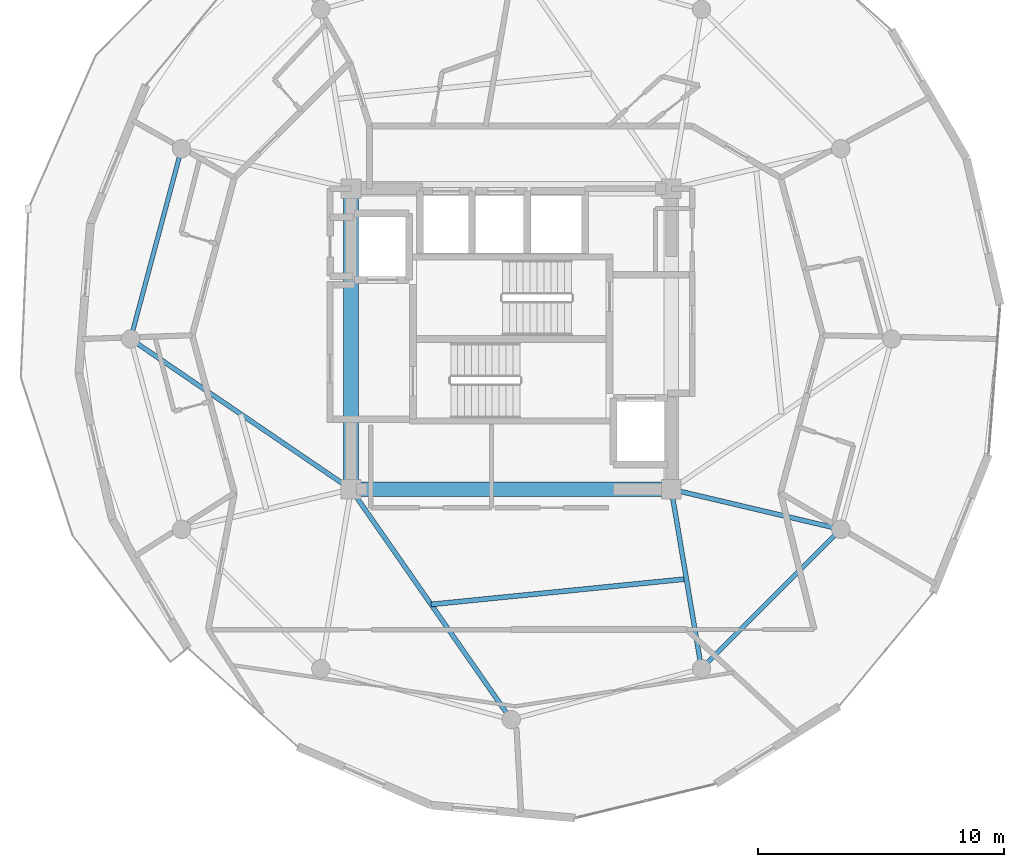
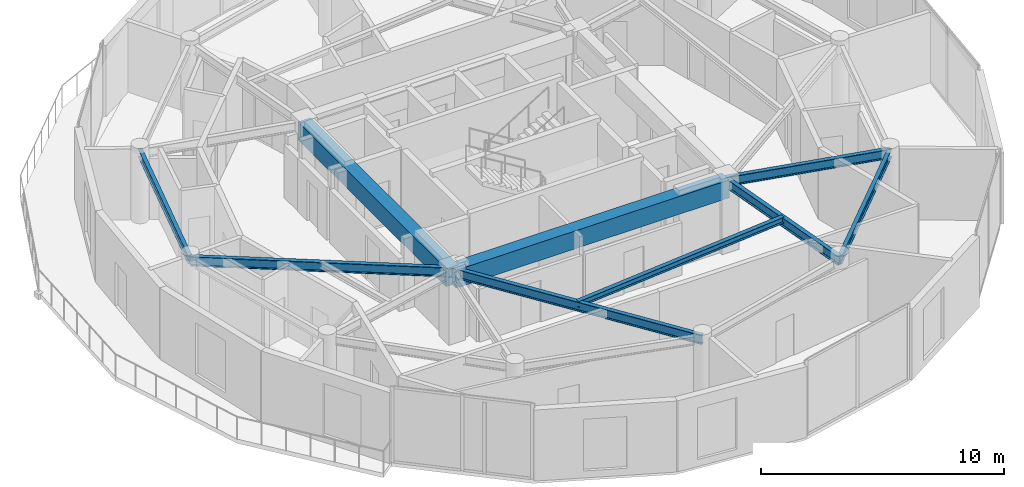
# One storey, part 5 of 19: 9 beams.
"""IFC4 building model written with IfcOpenShell, lengths in metres."""

from ifc_helpers import new_model, si_unit, direction, frame, origin, origin_2d, place, context, subcontext, project, spatial, rectangle, i_section, extrude, material, material_profile, profile_set, type_object, element, save


model = new_model("IFC4")

# Units and contexts
model_context = context("Model", 3, precision=1e-05, world=origin(), true_north=direction((0.0, 1.0)))
body_context = subcontext(model_context, "Body", "Model", "MODEL_VIEW")
ifc_project = project(units=[si_unit("LENGTHUNIT", "METRE"), si_unit("AREAUNIT", "SQUARE_METRE"), si_unit("VOLUMEUNIT", "CUBIC_METRE"), si_unit("PLANEANGLEUNIT", "RADIAN"), si_unit("MASSUNIT", "GRAM", prefix="KILO")], contexts=[model_context])

# Site, building, storey
site_placement = place(None, origin())
site = spatial("IfcSite", under=ifc_project, at=site_placement, CompositionType="ELEMENT")
building_placement = place(site_placement, origin())
building = spatial("IfcBuilding", under=site, at=building_placement, Name="Solvirekh Grand Hotel", CompositionType="ELEMENT")
storey_placement = place(building_placement, frame((0.0, 0.0, 266.800048828125)))
storey = spatial("IfcBuildingStorey", under=building, at=storey_placement, Name="L69", CompositionType="ELEMENT", Elevation=266.800048828125)

# Beams
ifc_material_1 = material(Name="Concrete C50/60", Category="concrete")
ifc_material_profile_1 = material_profile(ifc_material_1, rectangle(XDim=0.60009765625, YDim=0.89990234375, at=origin_2d()), Name="RC BEAM 600X900")
ifc_profile_set_1 = profile_set([ifc_material_profile_1], Name="Concrete C50/60")
beam_type_1 = type_object("IfcBeamType", Name="Beam_Core_RC900", PredefinedType="BEAM", material=ifc_profile_set_1)
beam_1_placement = place(storey_placement, frame((-6.5, -6.10009765625, 3.119873046875), z_axis=(1.0, 0.0, 0.0), x_axis=(0.0, 1.0, 0.0)))
element("IfcBeam", 1, at=beam_1_placement, inside=storey, type_object=beam_type_1, Name="L69 core coupling ring beam 1", PredefinedType="BEAM", context=body_context, shape_type="SweptSolid", body=[
    extrude(rectangle(XDim=0.60009765625, YDim=0.89990234375, at=origin_2d()), origin(), (0.0, 0.0, 1.0), 13.0),
])
beam_2_placement = place(storey_placement, frame((-6.5, 6.10009765625, 3.119873046875), z_axis=(0.0, -1.0, 0.0), x_axis=(1.0, 0.0, 0.0)))
element("IfcBeam", 2, at=beam_2_placement, inside=storey, type_object=beam_type_1, Name="L69 core coupling ring beam 4", PredefinedType="BEAM", context=body_context, shape_type="SweptSolid", body=[
    extrude(rectangle(XDim=0.60009765625, YDim=0.89990234375, at=origin_2d()), origin(), (0.0, 0.0, 1.0), 12.2001953125),
])
ifc_material_2 = material(Name="Steel S355", Category="steel")
ifc_material_profile_2 = material_profile(ifc_material_2, i_section(OverallWidth=0.194091796875, OverallDepth=0.468994140625, WebThickness=0.010986328125, FlangeThickness=0.01904296875, FilletRadius=0.012939453125, at=origin_2d()), Name="W460X106")
ifc_profile_set_2 = profile_set([ifc_material_profile_2], Name="Steel S355")
beam_type_2 = type_object("IfcBeamType", Name="Beam_Radial_W460H", PredefinedType="BEAM", material=ifc_profile_set_2)
beam_3_placement = place(storey_placement, frame((-6.5, -6.10009765625, 3.3349609375), z_axis=(-0.826319370306, 0.563201827285, 0.0), x_axis=(-0.563201827285, -0.826319370306, 0.0)))
element("IfcBeam", 3, at=beam_3_placement, inside=storey, type_object=beam_type_2, Name="L69 radial floor beam R07", PredefinedType="BEAM", context=body_context, shape_type="SweptSolid", body=[
    extrude(i_section(OverallWidth=0.194091796875, OverallDepth=0.468994140625, WebThickness=0.010986328125, FlangeThickness=0.01904296875, FilletRadius=0.012939453125, at=origin_2d()), origin(), (0.0, 0.0, 1.0), 10.8310546875),
])
beam_4_placement = place(storey_placement, frame((-6.5, -6.10009765625, 3.3349609375), z_axis=(0.570813192472, -0.821079959139, 0.0), x_axis=(0.821079959139, 0.570813192472, 0.0)))
element("IfcBeam", 4, at=beam_4_placement, inside=storey, type_object=beam_type_2, Name="L69 radial floor beam R10", PredefinedType="BEAM", context=body_context, shape_type="SweptSolid", body=[
    extrude(i_section(OverallWidth=0.194091796875, OverallDepth=0.468994140625, WebThickness=0.010986328125, FlangeThickness=0.01904296875, FilletRadius=0.012939453125, at=origin_2d()), origin(), (0.0, 0.0, 1.0), 11.38720703125),
])
beam_5_placement = place(storey_placement, frame((6.5, -6.10009765625, 3.3349609375), z_axis=(0.165954049106, -0.986133486697, 0.0), x_axis=(0.986133486697, 0.165954049106, 0.0)))
element("IfcBeam", 5, at=beam_5_placement, inside=storey, type_object=beam_type_2, Name="L69 radial floor beam R11", PredefinedType="BEAM", context=body_context, shape_type="SweptSolid", body=[
    extrude(i_section(OverallWidth=0.194091796875, OverallDepth=0.468994140625, WebThickness=0.010986328125, FlangeThickness=0.01904296875, FilletRadius=0.012939453125, at=origin_2d()), origin(), (0.0, 0.0, 1.0), 7.382080078125),
])
beam_6_placement = place(storey_placement, frame((6.5, -6.10009765625, 3.3349609375), z_axis=(0.973221147544, -0.229870828888, 0.0), x_axis=(0.229870828888, 0.973221147544, 0.0)))
element("IfcBeam", 6, at=beam_6_placement, inside=storey, type_object=beam_type_2, Name="L69 radial floor beam R12", PredefinedType="BEAM", context=body_context, shape_type="SweptSolid", body=[
    extrude(i_section(OverallWidth=0.194091796875, OverallDepth=0.468994140625, WebThickness=0.010986328125, FlangeThickness=0.01904296875, FilletRadius=0.012939453125, at=origin_2d()), origin(), (0.0, 0.0, 1.0), 7.069091796875),
])
ifc_material_profile_3 = material_profile(ifc_material_2, i_section(OverallWidth=0.202880859375, OverallDepth=0.302978515625, WebThickness=0.008056640625, FlangeThickness=0.012939453125, FilletRadius=0.010009765625, at=origin_2d()), Name="W310X60")
ifc_profile_set_3 = profile_set([ifc_material_profile_3], Name="Steel S355")
beam_type_3 = type_object("IfcBeamType", Name="Joist_Floor_W310", PredefinedType="JOIST", material=ifc_profile_set_3)
beam_7_placement = place(storey_placement, frame((-3.25, -10.77490234375, 3.4189453125), z_axis=(0.995049485097, 0.099380693338, 0.0), x_axis=(-0.099380693338, 0.995049485097, 0.0)))
element("IfcBeam", 7, at=beam_7_placement, inside=storey, type_object=beam_type_3, Name="L69 secondary composite floor joist 10", PredefinedType="JOIST", context=body_context, shape_type="SweptSolid", body=[
    extrude(i_section(OverallWidth=0.202880859375, OverallDepth=0.302978515625, WebThickness=0.008056640625, FlangeThickness=0.012939453125, FilletRadius=0.010009765625, at=origin_2d()), origin(), (0.0, 0.0, 1.0), 10.41357421875),
])
ifc_material_profile_4 = material_profile(ifc_material_2, i_section(OverallWidth=0.180908203125, OverallDepth=0.4169921875, WebThickness=0.010009765625, FlangeThickness=0.01611328125, FilletRadius=0.011962890625, at=origin_2d()), Name="W410X85")
ifc_profile_set_4 = profile_set([ifc_material_profile_4], Name="Steel S355")
beam_type_4 = type_object("IfcBeamType", Name="Spandrel_Ring_W410", PredefinedType="SPANDREL", material=ifc_profile_set_4)
beam_8_placement = place(storey_placement, frame((-13.3798828125, 7.72509765625, 3.36083984375), z_axis=(-0.258834757072, -0.965921616143, 0.0), x_axis=(0.965921616143, -0.258834757072, 0.0)))
element("IfcBeam", 8, at=beam_8_placement, inside=storey, type_object=beam_type_4, Name="L69 perimeter spandrel beam 6", PredefinedType="SPANDREL", context=body_context, shape_type="SweptSolid", body=[
    extrude(i_section(OverallWidth=0.180908203125, OverallDepth=0.4169921875, WebThickness=0.010009765625, FlangeThickness=0.01611328125, FilletRadius=0.011962890625, at=origin_2d()), origin(), (0.0, 0.0, 1.0), 7.99755859375),
])
beam_9_placement = place(storey_placement, frame((7.72509765625, -13.3798828125, 3.36083984375), z_axis=(0.707106781187, 0.707106781187, 0.0), x_axis=(-0.707106781187, 0.707106781187, 0.0)))
element("IfcBeam", 9, at=beam_9_placement, inside=storey, type_object=beam_type_4, Name="L69 perimeter spandrel beam 11", PredefinedType="SPANDREL", context=body_context, shape_type="SweptSolid", body=[
    extrude(i_section(OverallWidth=0.180908203125, OverallDepth=0.4169921875, WebThickness=0.010009765625, FlangeThickness=0.01611328125, FilletRadius=0.011962890625, at=origin_2d()), origin(), (0.0, 0.0, 1.0), 7.9970703125),
])

save(model, "model.ifc")
